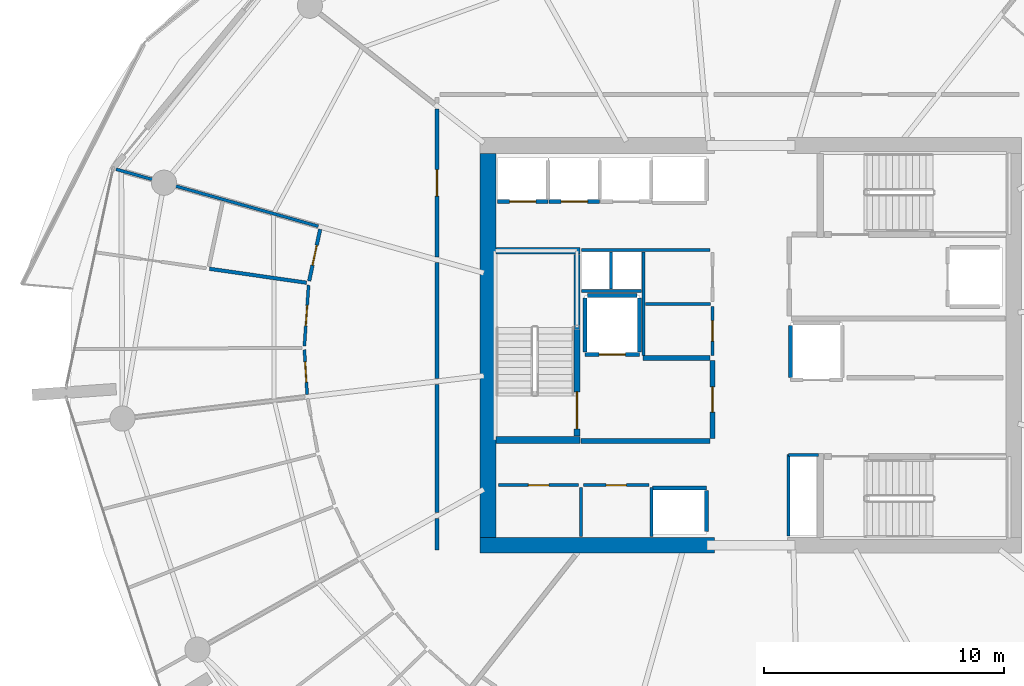
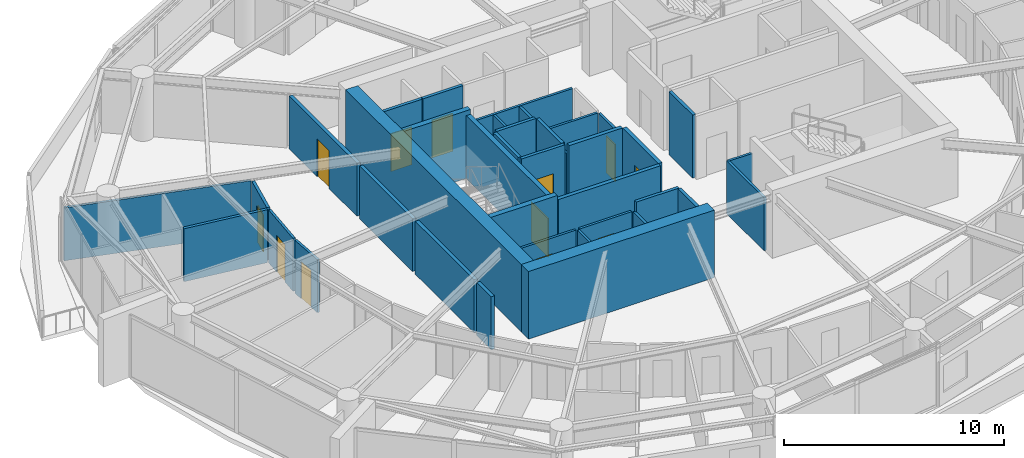
# One storey, part 12 of 21: 38 walls, 12 doors, 12 openings.
"""IFC4 building model written with IfcOpenShell, lengths in metres."""

from ifc_helpers import new_model, si_unit, direction, frame, frame_2d, origin, place, context, subcontext, project, spatial, rectangle, extrude, material, layer, layer_set, type_object, element, fill, save


model = new_model("IFC4")

# Units and contexts
model_context = context("Model", 3, precision=1e-05, world=origin(), true_north=direction((0.0, 1.0)))
body_context = subcontext(model_context, "Body", "Model", "MODEL_VIEW")
ifc_project = project(units=[si_unit("LENGTHUNIT", "METRE"), si_unit("AREAUNIT", "SQUARE_METRE"), si_unit("VOLUMEUNIT", "CUBIC_METRE"), si_unit("PLANEANGLEUNIT", "RADIAN"), si_unit("MASSUNIT", "GRAM", prefix="KILO")], contexts=[model_context])

# Site, building, storey
site_placement = place(None, origin())
site = spatial("IfcSite", under=ifc_project, at=site_placement, CompositionType="ELEMENT")
building_placement = place(site_placement, origin())
building = spatial("IfcBuilding", under=site, at=building_placement, Name="Kazma Halo Residences", CompositionType="ELEMENT")
storey_placement = place(building_placement, frame((0.0, 0.0, 187.800048828125)))
storey = spatial("IfcBuildingStorey", under=building, at=storey_placement, Name="L47", CompositionType="ELEMENT", Elevation=187.800048828125)

# Walls
ifc_material_1 = material(Name="Concrete C60/75", Category="concrete")
ifc_layer_1 = layer(ifc_material_1, 0.64990234375)
ifc_layer_set_1 = layer_set([ifc_layer_1], Name="Concrete C60/75")
wall_type_1 = type_object("IfcWallType", Name="WL-CORE-650", PredefinedType="SHEAR", material=ifc_layer_set_1)
wall_1_placement = place(storey_placement, frame((37.14990234375, 33.675048828125, 0.0), z_axis=(0.0, 0.0, 1.0), x_axis=(1.0, 0.0, 0.0)))
element("IfcWall", 1, at=wall_1_placement, inside=storey, type_object=wall_type_1, Name="L47 central core shear wall SW", PredefinedType="SHEAR", context=body_context, shape_type="SweptSolid", body=[
    extrude(rectangle(XDim=9.75, YDim=0.64990234375, at=frame_2d((4.875, 0.0))), origin(), (0.0, 0.0, 1.0), 3.75),
])
wall_2_placement = place(storey_placement, frame((37.47509765625, 34.0, 0.0), z_axis=(0.0, 0.0, 1.0), x_axis=(0.0, 1.0, 0.0)))
element("IfcWall", 2, at=wall_2_placement, inside=storey, type_object=wall_type_1, Name="L47 central core shear wall W", PredefinedType="SHEAR", context=body_context, shape_type="SweptSolid", body=[
    extrude(rectangle(XDim=16.0, YDim=0.64990234375, at=frame_2d((8.0, 0.0))), origin(), (0.0, 0.0, 1.0), 3.75),
])
ifc_layer_2 = layer(ifc_material_1, 0.280029296875)
ifc_layer_set_2 = layer_set([ifc_layer_2], Name="Concrete C60/75")
wall_type_2 = type_object("IfcWallType", Name="WL-CORE-ST-280", PredefinedType="SHEAR", material=ifc_layer_set_2)
for number, where, z_axis, x_axis, name in (
    (3, (37.800048828125, 38.06005859375, 0.0), (0.0, 0.0, 1.0), (1.0, 0.0, 0.0), "L47 stairwell bearing wall ST01-S"),
    (4, (37.800048828125, 45.93994140625, 0.0), (0.0, 0.0, 1.0), (1.0, 0.0, 0.0), "L47 stairwell bearing wall ST01-N"),
):
    element("IfcWall", number, at=place(storey_placement, frame(where, z_axis=z_axis, x_axis=x_axis)), inside=storey, type_object=wall_type_2, Name=name, PredefinedType="SHEAR", context=body_context, shape_type="SweptSolid", body=[
        extrude(rectangle(XDim=3.5, YDim=0.280029296875, at=frame_2d((1.75, 0.0))), origin(), (0.0, 0.0, 1.0), 3.75),
    ])

# Wall, opening, door
ifc_material_2 = material(Name="Acoustic Twin-Stud Gypsum")
ifc_layer_3 = layer(ifc_material_2, 0.179931640625)
ifc_layer_set_3 = layer_set([ifc_layer_3], Name="Acoustic Twin-Stud Gypsum")
wall_type_3 = type_object("IfcWallType", Name="WL-DEM-180", PredefinedType="PARTITIONING", material=ifc_layer_set_3)
wall_3_placement = place(storey_placement, frame((35.35009765625, 51.8525390625, 0.0), z_axis=(0.0, 0.0, 1.0), x_axis=(0.0, -1.0, 0.0)))
wall_3 = element("IfcWall", 5, at=wall_3_placement, inside=storey, type_object=wall_type_3, Name="L47 Apartment 2 entrance corridor wall", PredefinedType="PARTITIONING", context=body_context, shape_type="SweptSolid", body=[
    extrude(rectangle(XDim=6.164794921875, YDim=0.179931640625, at=frame_2d((3.08251953125, 0.0))), origin(), (0.0, 0.0, 1.0), 2.93994140625),
])
opening_1_placement = place(wall_3_placement, frame((2.532470703125, 0.0, 0.0)))
opening_1 = element("IfcOpeningElement", 6, at=opening_1_placement, cuts=wall_3, Name="Opening DA-1100", PredefinedType="OPENING", context=body_context, shape_type="SweptSolid", body=[
    extrude(rectangle(XDim=1.10009765625, YDim=2.10009765625, at=frame_2d((0.550048828125, 1.050048828125))), frame((0.0, 0.099853515625, 0.0), z_axis=(0.0, -1.0, 0.0), x_axis=(1.0, 0.0, 0.0)), (0.0, 0.0, 1.0), 0.199951171875),
])
ifc_material_3 = material(Name="Acoustic Walnut Fire Leaf")
door_type_1 = type_object("IfcDoorType", Name="DR-FD60-1100", OperationType="NOTDEFINED", PredefinedType="DOOR", material=ifc_material_3)
door_1_placement = place(opening_1_placement, origin())
door_1 = element("IfcDoor", 7, at=door_1_placement, inside=storey, type_object=door_type_1, Name="L47 Apartment 2 entrance fire door", OperationType="SINGLE_SWING_RIGHT", OverallHeight=2.10009765625, OverallWidth=1.10009765625, PredefinedType="DOOR", context=body_context, shape_type="SweptSolid", body=[
    extrude(rectangle(XDim=1.10009765625, YDim=2.10009765625, at=frame_2d((0.550048828125, 1.050048828125))), frame((0.0, 0.02490234375, 0.0), z_axis=(0.0, -1.0, 0.0), x_axis=(1.0, 0.0, 0.0)), (0.0, 0.0, 1.0), 0.050048828125),
])
fill(opening_1, door_1)

# Walls
wall_4_placement = place(storey_placement, frame((35.35009765625, 45.44775390625, 0.0), z_axis=(0.0, 0.0, 1.0), x_axis=(0.0, -1.0, 0.0)))
element("IfcWall", 8, at=wall_4_placement, inside=storey, type_object=wall_type_3, Name="L47 Apartment 2 inner wall 6", PredefinedType="PARTITIONING", context=body_context, shape_type="SweptSolid", body=[
    extrude(rectangle(XDim=4.824951171875, YDim=0.179931640625, at=frame_2d((2.41259765625, 0.0))), origin(), (0.0, 0.0, 1.0), 2.93994140625),
])
wall_5_placement = place(storey_placement, frame((35.35009765625, 40.3828125, 0.0), z_axis=(0.0, 0.0, 1.0), x_axis=(0.0, -1.0, 0.0)))
element("IfcWall", 9, at=wall_5_placement, inside=storey, type_object=wall_type_3, Name="L47 Apartment 2 inner wall 7", PredefinedType="PARTITIONING", context=body_context, shape_type="SweptSolid", body=[
    extrude(rectangle(XDim=5.34716796875, YDim=0.179931640625, at=frame_2d((2.673583984375, 0.0))), origin(), (0.0, 0.0, 1.0), 2.93994140625),
])
wall_6_placement = place(storey_placement, frame((35.35009765625, 34.795654296875, 0.0), z_axis=(0.0, 0.0, 1.0), x_axis=(0.0, -1.0, 0.0)))
element("IfcWall", 10, at=wall_6_placement, inside=storey, type_object=wall_type_3, Name="L47 Apartment 2 inner wall 8", PredefinedType="PARTITIONING", context=body_context, shape_type="SweptSolid", body=[
    extrude(rectangle(XDim=1.32568359375, YDim=0.179931640625, at=frame_2d((0.662841796875, 0.0))), origin(), (0.0, 0.0, 1.0), 2.93994140625),
])

# Wall, opening, door
ifc_material_4 = material(Name="Fire-Rated Blockwork Masonry", Category="masonry")
ifc_layer_4 = layer(ifc_material_4, 0.199951171875)
ifc_layer_set_4 = layer_set([ifc_layer_4], Name="Fire-Rated Blockwork Masonry")
wall_type_4 = type_object("IfcWallType", Name="WL-FLB-200", PredefinedType="PARTITIONING", material=ifc_layer_set_4)
wall_7_placement = place(storey_placement, frame((39.97509765625, 47.9951171875, 0.0), z_axis=(0.0, 0.0, 1.0), x_axis=(-1.0, 0.0, 0.0)))
wall_7 = element("IfcWall", 11, at=wall_7_placement, inside=storey, type_object=wall_type_4, Name="L47 lift shaft PM-01 front wall", PredefinedType="PARTITIONING", context=body_context, shape_type="SweptSolid", body=[
    extrude(rectangle(XDim=2.110107421875, YDim=0.159912109375, at=frame_2d((1.05517578125, 0.0))), origin(), (0.0, 0.0, 1.0), 3.5),
])
opening_2_placement = place(wall_7_placement, frame((0.5048828125, 0.0, 0.0)))
opening_2 = element("IfcOpeningElement", 12, at=opening_2_placement, cuts=wall_7, Name="Opening LD-PM-01", PredefinedType="OPENING", context=body_context, shape_type="SweptSolid", body=[
    extrude(rectangle(XDim=1.10009765625, YDim=2.10009765625, at=frame_2d((0.550048828125, 1.050048828125))), frame((0.0, 0.08984375, 0.0), z_axis=(0.0, -1.0, 0.0), x_axis=(1.0, 0.0, 0.0)), (0.0, 0.0, 1.0), 0.179931640625),
])
ifc_material_5 = material(Name="Stainless Steel Fire-Rated", Category="steel")
door_type_2 = type_object("IfcDoorType", Name="DR-LIFT-SLD-1100", OperationType="DOUBLE_DOOR_SLIDING", PredefinedType="DOOR", material=ifc_material_5)
door_2_placement = place(opening_2_placement, origin())
door_2 = element("IfcDoor", 13, at=door_2_placement, inside=storey, type_object=door_type_2, Name="L47 lift PM-01 sliding landing door", OperationType="DOUBLE_DOOR_SLIDING", OverallHeight=2.10009765625, OverallWidth=1.10009765625, PredefinedType="DOOR", context=body_context, shape_type="SweptSolid", body=[
    extrude(rectangle(XDim=1.10009765625, YDim=2.10009765625, at=frame_2d((0.550048828125, 1.050048828125))), frame((0.0, 0.02490234375, 0.0), z_axis=(0.0, -1.0, 0.0), x_axis=(1.0, 0.0, 0.0)), (0.0, 0.0, 1.0), 0.050048828125),
])
fill(opening_2, door_2)

wall_8_placement = place(storey_placement, frame((42.125, 47.9951171875, 0.0), z_axis=(0.0, 0.0, 1.0), x_axis=(-1.0, 0.0, 0.0)))
wall_8 = element("IfcWall", 14, at=wall_8_placement, inside=storey, type_object=wall_type_4, Name="L47 lift shaft PM-02 front wall", PredefinedType="PARTITIONING", context=body_context, shape_type="SweptSolid", body=[
    extrude(rectangle(XDim=2.110107421875, YDim=0.159912109375, at=frame_2d((1.05517578125, 0.0))), origin(), (0.0, 0.0, 1.0), 3.5),
])
opening_3_placement = place(wall_8_placement, frame((0.5048828125, 0.0, 0.0)))
opening_3 = element("IfcOpeningElement", 15, at=opening_3_placement, cuts=wall_8, Name="Opening LD-PM-02", PredefinedType="OPENING", context=body_context, shape_type="SweptSolid", body=[
    extrude(rectangle(XDim=1.10009765625, YDim=2.10009765625, at=frame_2d((0.550048828125, 1.050048828125))), frame((0.0, 0.08984375, 0.0), z_axis=(0.0, -1.0, 0.0), x_axis=(1.0, 0.0, 0.0)), (0.0, 0.0, 1.0), 0.179931640625),
])
door_3_placement = place(opening_3_placement, origin())
door_3 = element("IfcDoor", 16, at=door_3_placement, inside=storey, type_object=door_type_2, Name="L47 lift PM-02 sliding landing door", OperationType="DOUBLE_DOOR_SLIDING", OverallHeight=2.10009765625, OverallWidth=1.10009765625, PredefinedType="DOOR", context=body_context, shape_type="SweptSolid", body=[
    extrude(rectangle(XDim=1.10009765625, YDim=2.10009765625, at=frame_2d((0.550048828125, 1.050048828125))), frame((0.0, 0.02490234375, 0.0), z_axis=(0.0, -1.0, 0.0), x_axis=(1.0, 0.0, 0.0)), (0.0, 0.0, 1.0), 0.050048828125),
])
fill(opening_3, door_3)

# Walls
wall_9_placement = place(storey_placement, frame((44.320068359375, 36.054931640625, 0.0), z_axis=(0.0, 0.0, 1.0), x_axis=(1.0, 0.0, 0.0)))
element("IfcWall", 17, at=wall_9_placement, inside=storey, type_object=wall_type_4, Name="L47 lift shaft PX-02 front wall", PredefinedType="PARTITIONING", context=body_context, shape_type="SweptSolid", body=[
    extrude(rectangle(XDim=2.260009765625, YDim=0.159912109375, at=frame_2d((1.1298828125, 0.0))), origin(), (0.0, 0.0, 1.0), 3.5),
])
wall_10_placement = place(storey_placement, frame((46.580078125, 34.2451171875, 0.0), z_axis=(0.0, 0.0, 1.0), x_axis=(0.0, 1.0, 0.0)))
element("IfcWall", 18, at=wall_10_placement, inside=storey, type_object=wall_type_4, Name="L47 lift shaft PX-02 side wall E", PredefinedType="PARTITIONING", context=body_context, shape_type="SweptSolid", body=[
    extrude(rectangle(XDim=1.7099609375, YDim=0.159912109375, at=frame_2d((0.85498046875, 0.0))), origin(), (0.0, 0.0, 1.0), 3.5),
])

# Wall, opening, door
wall_11_placement = place(storey_placement, frame((43.780029296875, 41.6201171875, 0.0), z_axis=(0.0, 0.0, 1.0), x_axis=(-1.0, 0.0, 0.0)))
wall_11 = element("IfcWall", 19, at=wall_11_placement, inside=storey, type_object=wall_type_4, Name="L47 lift shaft FL-01 front wall", PredefinedType="PARTITIONING", context=body_context, shape_type="SweptSolid", body=[
    extrude(rectangle(XDim=2.260009765625, YDim=0.159912109375, at=frame_2d((1.1298828125, 0.0))), origin(), (0.0, 0.0, 1.0), 3.5),
])
opening_4_placement = place(wall_11_placement, frame((0.580078125, 0.0, 0.0)))
opening_4 = element("IfcOpeningElement", 20, at=opening_4_placement, cuts=wall_11, Name="Opening LD-FL-01", PredefinedType="OPENING", context=body_context, shape_type="SweptSolid", body=[
    extrude(rectangle(XDim=1.10009765625, YDim=2.10009765625, at=frame_2d((0.550048828125, 1.050048828125))), frame((0.0, 0.08984375, 0.0), z_axis=(0.0, -1.0, 0.0), x_axis=(1.0, 0.0, 0.0)), (0.0, 0.0, 1.0), 0.179931640625),
])
door_4_placement = place(opening_4_placement, origin())
door_4 = element("IfcDoor", 21, at=door_4_placement, inside=storey, type_object=door_type_2, Name="L47 lift FL-01 sliding landing door", OperationType="DOUBLE_DOOR_SLIDING", OverallHeight=2.10009765625, OverallWidth=1.10009765625, PredefinedType="DOOR", context=body_context, shape_type="SweptSolid", body=[
    extrude(rectangle(XDim=1.10009765625, YDim=2.10009765625, at=frame_2d((0.550048828125, 1.050048828125))), frame((0.0, 0.02490234375, 0.0), z_axis=(0.0, -1.0, 0.0), x_axis=(1.0, 0.0, 0.0)), (0.0, 0.0, 1.0), 0.050048828125),
])
fill(opening_4, door_4)

# Walls
for number, where, z_axis, x_axis, name in (
    (22, (43.780029296875, 41.719970703125, 0.0), (0.0, 0.0, 1.0), (0.0, 1.0, 0.0), "L47 lift shaft FL-01 side wall E"),
    (23, (41.52001953125, 41.719970703125, 0.0), (0.0, 0.0, 1.0), (0.0, 1.0, 0.0), "L47 lift shaft FL-01 side wall W"),
):
    element("IfcWall", number, at=place(storey_placement, frame(where, z_axis=z_axis, x_axis=x_axis)), inside=storey, type_object=wall_type_4, Name=name, PredefinedType="PARTITIONING", context=body_context, shape_type="SweptSolid", body=[
        extrude(rectangle(XDim=2.260009765625, YDim=0.159912109375, at=frame_2d((1.1298828125, 0.0))), origin(), (0.0, 0.0, 1.0), 3.5),
    ])
wall_12_placement = place(storey_placement, frame((41.6201171875, 44.080078125, 0.0), z_axis=(0.0, 0.0, 1.0), x_axis=(1.0, 0.0, 0.0)))
element("IfcWall", 24, at=wall_12_placement, inside=storey, type_object=wall_type_4, Name="L47 lift shaft FL-01 side wall N", PredefinedType="PARTITIONING", context=body_context, shape_type="SweptSolid", body=[
    extrude(rectangle(XDim=2.059814453125, YDim=0.159912109375, at=frame_2d((1.02978515625, 0.0))), origin(), (0.0, 0.0, 1.0), 3.5),
])
wall_13_placement = place(storey_placement, frame((50.070068359375, 40.669921875, 0.0), z_axis=(0.0, 0.0, 1.0), x_axis=(0.0, 1.0, 0.0)))
element("IfcWall", 25, at=wall_13_placement, inside=storey, type_object=wall_type_4, Name="L47 lift shaft SV-01 side wall W", PredefinedType="PARTITIONING", context=body_context, shape_type="SweptSolid", body=[
    extrude(rectangle(XDim=2.16015625, YDim=0.159912109375, at=frame_2d((1.080078125, 0.0))), origin(), (0.0, 0.0, 1.0), 3.5),
])
wall_14_placement = place(storey_placement, frame((41.35009765625, 38.02001953125, 0.0), z_axis=(0.0, 0.0, 1.0), x_axis=(1.0, 0.0, 0.0)))
element("IfcWall", 26, at=wall_14_placement, inside=storey, type_object=wall_type_4, Name="L47 west firefighting lobby south smoke wall", PredefinedType="PARTITIONING", context=body_context, shape_type="SweptSolid", body=[
    extrude(rectangle(XDim=5.369873046875, YDim=0.199951171875, at=frame_2d((2.68505859375, 0.0))), origin(), (0.0, 0.0, 1.0), 3.5),
])
wall_15_placement = place(storey_placement, frame((43.919921875, 41.47998046875, 0.0), z_axis=(0.0, 0.0, 1.0), x_axis=(1.0, 0.0, 0.0)))
element("IfcWall", 27, at=wall_15_placement, inside=storey, type_object=wall_type_4, Name="L47 west firefighting lobby north smoke wall", PredefinedType="PARTITIONING", context=body_context, shape_type="SweptSolid", body=[
    extrude(rectangle(XDim=2.800048828125, YDim=0.199951171875, at=frame_2d((1.39990234375, 0.0))), origin(), (0.0, 0.0, 1.0), 3.5),
])

# Wall, opening, door
wall_16_placement = place(storey_placement, frame((46.820068359375, 38.1201171875, 0.0), z_axis=(0.0, 0.0, 1.0), x_axis=(0.0, 1.0, 0.0)))
wall_16 = element("IfcWall", 28, at=wall_16_placement, inside=storey, type_object=wall_type_4, Name="L47 west firefighting lobby smoke wall", PredefinedType="PARTITIONING", context=body_context, shape_type="SweptSolid", body=[
    extrude(rectangle(XDim=3.259765625, YDim=0.199951171875, at=frame_2d((1.6298828125, 0.0))), origin(), (0.0, 0.0, 1.0), 3.5),
])
opening_5_placement = place(wall_16_placement, frame((1.10498046875, 0.0, 0.0)))
opening_5 = element("IfcOpeningElement", 29, at=opening_5_placement, cuts=wall_16, Name="Opening D-FLW", PredefinedType="OPENING", context=body_context, shape_type="SweptSolid", body=[
    extrude(rectangle(XDim=1.050048828125, YDim=2.10009765625, at=frame_2d((0.52490234375, 1.050048828125))), frame((0.0, 0.10986328125, 0.0), z_axis=(0.0, -1.0, 0.0), x_axis=(1.0, 0.0, 0.0)), (0.0, 0.0, 1.0), 0.219970703125),
])
ifc_material_6 = material(Name="Fire-Rated Steel Leaf", Category="steel")
door_type_3 = type_object("IfcDoorType", Name="DR-FD90-1050", OperationType="NOTDEFINED", PredefinedType="DOOR", material=ifc_material_6)
door_5_placement = place(opening_5_placement, origin())
door_5 = element("IfcDoor", 30, at=door_5_placement, inside=storey, type_object=door_type_3, Name="L47 west firefighting lobby smoke door", OperationType="SINGLE_SWING_RIGHT", OverallHeight=2.10009765625, OverallWidth=1.050048828125, PredefinedType="DOOR", context=body_context, shape_type="SweptSolid", body=[
    extrude(rectangle(XDim=1.050048828125, YDim=2.10009765625, at=frame_2d((0.52490234375, 1.050048828125))), frame((0.0, 0.02490234375, 0.0), z_axis=(0.0, -1.0, 0.0), x_axis=(1.0, 0.0, 0.0)), (0.0, 0.0, 1.0), 0.050048828125),
])
fill(opening_5, door_5)

# Walls
ifc_material_7 = material(Name="Gypsum Plasterboard Partition")
ifc_layer_5 = layer(ifc_material_7, 0.125)
ifc_layer_set_5 = layer_set([ifc_layer_5], Name="Gypsum Plasterboard Partition")
wall_type_5 = type_object("IfcWallType", Name="WL-PART-125", PredefinedType="PARTITIONING", material=ifc_layer_set_5)
for number, where, z_axis, x_axis, name in (
    (31, (44.280029296875, 34.050048828125, 0.0), (0.0, 0.0, 1.0), (0.0, 1.0, 0.0), "L47 reclaimed south east wall"),
    (32, (41.35009765625, 34.050048828125, 0.0), (0.0, 0.0, 1.0), (0.0, 1.0, 0.0), "L47 reclaimed south divider wall"),
):
    element("IfcWall", number, at=place(storey_placement, frame(where, z_axis=z_axis, x_axis=x_axis)), inside=storey, type_object=wall_type_5, Name=name, PredefinedType="PARTITIONING", context=body_context, shape_type="SweptSolid", body=[
        extrude(rectangle(XDim=2.030029296875, YDim=0.125, at=frame_2d((1.01513671875, 0.0))), origin(), (0.0, 0.0, 1.0), 2.93994140625),
    ])

# Wall, opening, door
wall_17_placement = place(storey_placement, frame((37.919921875, 36.179931640625, 0.0), z_axis=(0.0, 0.0, 1.0), x_axis=(1.0, 0.0, 0.0)))
wall_17 = element("IfcWall", 33, at=wall_17_placement, inside=storey, type_object=wall_type_5, Name="L47 reclaimed south W front wall", PredefinedType="PARTITIONING", context=body_context, shape_type="SweptSolid", body=[
    extrude(rectangle(XDim=3.330078125, YDim=0.125, at=frame_2d((1.6650390625, 0.0))), origin(), (0.0, 0.0, 1.0), 2.93994140625),
])
opening_6_placement = place(wall_17_placement, frame((1.239990234375, 0.0, 0.0)))
opening_6 = element("IfcOpeningElement", 34, at=opening_6_placement, cuts=wall_17, Name="Opening DS-850", PredefinedType="OPENING", context=body_context, shape_type="SweptSolid", body=[
    extrude(rectangle(XDim=0.85009765625, YDim=2.06005859375, at=frame_2d((0.425048828125, 1.030029296875))), frame((0.0, 0.072509765625, 0.0), z_axis=(0.0, -1.0, 0.0), x_axis=(1.0, 0.0, 0.0)), (0.0, 0.0, 1.0), 0.14501953125),
])
ifc_material_8 = material(Name="Painted Steel Access Leaf", Category="steel")
door_type_4 = type_object("IfcDoorType", Name="DR-SVC-850", OperationType="NOTDEFINED", PredefinedType="DOOR", material=ifc_material_8)
door_6_placement = place(opening_6_placement, origin())
door_6 = element("IfcDoor", 35, at=door_6_placement, inside=storey, type_object=door_type_4, Name="L47 reclaimed south W door", OperationType="SINGLE_SWING_RIGHT", OverallHeight=2.06005859375, OverallWidth=0.85009765625, PredefinedType="DOOR", context=body_context, shape_type="SweptSolid", body=[
    extrude(rectangle(XDim=0.85009765625, YDim=2.06005859375, at=frame_2d((0.425048828125, 1.030029296875))), frame((0.0, 0.02490234375, 0.0), z_axis=(0.0, -1.0, 0.0), x_axis=(1.0, 0.0, 0.0)), (0.0, 0.0, 1.0), 0.050048828125),
])
fill(opening_6, door_6)

wall_18_placement = place(storey_placement, frame((41.449951171875, 36.179931640625, 0.0), z_axis=(0.0, 0.0, 1.0), x_axis=(1.0, 0.0, 0.0)))
wall_18 = element("IfcWall", 36, at=wall_18_placement, inside=storey, type_object=wall_type_5, Name="L47 reclaimed south E front wall", PredefinedType="PARTITIONING", context=body_context, shape_type="SweptSolid", body=[
    extrude(rectangle(XDim=2.72998046875, YDim=0.125, at=frame_2d((1.364990234375, 0.0))), origin(), (0.0, 0.0, 1.0), 2.93994140625),
])
opening_7_placement = place(wall_18_placement, frame((0.93994140625, 0.0, 0.0)))
opening_7 = element("IfcOpeningElement", 37, at=opening_7_placement, cuts=wall_18, Name="Opening DS-850", PredefinedType="OPENING", context=body_context, shape_type="SweptSolid", body=[
    extrude(rectangle(XDim=0.85009765625, YDim=2.06005859375, at=frame_2d((0.425048828125, 1.030029296875))), frame((0.0, 0.072509765625, 0.0), z_axis=(0.0, -1.0, 0.0), x_axis=(1.0, 0.0, 0.0)), (0.0, 0.0, 1.0), 0.14501953125),
])
door_7_placement = place(opening_7_placement, origin())
door_7 = element("IfcDoor", 38, at=door_7_placement, inside=storey, type_object=door_type_4, Name="L47 reclaimed south E door", OperationType="SINGLE_SWING_LEFT", OverallHeight=2.06005859375, OverallWidth=0.85009765625, PredefinedType="DOOR", context=body_context, shape_type="SweptSolid", body=[
    extrude(rectangle(XDim=0.85009765625, YDim=2.06005859375, at=frame_2d((0.425048828125, 1.030029296875))), frame((0.0, 0.02490234375, 0.0), z_axis=(0.0, -1.0, 0.0), x_axis=(1.0, 0.0, 0.0)), (0.0, 0.0, 1.0), 0.050048828125),
])
fill(opening_7, door_7)

# Walls
wall_19_placement = place(storey_placement, frame((41.360107421875, 45.97998046875, 0.0), z_axis=(0.0, 0.0, 1.0), x_axis=(1.0, 0.0, 0.0)))
element("IfcWall", 39, at=wall_19_placement, inside=storey, type_object=wall_type_5, Name="L47 core north riser wall", PredefinedType="PARTITIONING", context=body_context, shape_type="SweptSolid", body=[
    extrude(rectangle(XDim=5.35986328125, YDim=0.125, at=frame_2d((2.679931640625, 0.0))), origin(), (0.0, 0.0, 1.0), 2.93994140625),
])
wall_20_placement = place(storey_placement, frame((41.360107421875, 44.260009765625, 0.0), z_axis=(0.0, 0.0, 1.0), x_axis=(1.0, 0.0, 0.0)))
element("IfcWall", 40, at=wall_20_placement, inside=storey, type_object=wall_type_5, Name="L47 core riser south wall", PredefinedType="PARTITIONING", context=body_context, shape_type="SweptSolid", body=[
    extrude(rectangle(XDim=2.5, YDim=0.125, at=frame_2d((1.25, 0.0))), origin(), (0.0, 0.0, 1.0), 2.93994140625),
])
wall_21_placement = place(storey_placement, frame((42.60009765625, 44.35009765625, 0.0), z_axis=(0.0, 0.0, 1.0), x_axis=(0.0, 1.0, 0.0)))
element("IfcWall", 41, at=wall_21_placement, inside=storey, type_object=wall_type_5, Name="L47 core riser divider wall", PredefinedType="PARTITIONING", context=body_context, shape_type="SweptSolid", body=[
    extrude(rectangle(XDim=1.5498046875, YDim=0.125, at=frame_2d((0.77490234375, 0.0))), origin(), (0.0, 0.0, 1.0), 2.93994140625),
])
wall_22_placement = place(storey_placement, frame((49.97998046875, 34.06005859375, 0.0), z_axis=(0.0, 0.0, 1.0), x_axis=(0.0, 1.0, 0.0)))
element("IfcWall", 42, at=wall_22_placement, inside=storey, type_object=wall_type_5, Name="L47 standpipe riser wall", PredefinedType="PARTITIONING", context=body_context, shape_type="SweptSolid", body=[
    extrude(rectangle(XDim=3.39990234375, YDim=0.125, at=frame_2d((1.699951171875, 0.0))), origin(), (0.0, 0.0, 1.0), 2.93994140625),
])
wall_23_placement = place(storey_placement, frame((49.97998046875, 37.43994140625, 0.0), z_axis=(0.0, 0.0, 1.0), x_axis=(1.0, 0.0, 0.0)))
element("IfcWall", 43, at=wall_23_placement, inside=storey, type_object=wall_type_5, Name="L47 standpipe riser north wall", PredefinedType="PARTITIONING", context=body_context, shape_type="SweptSolid", body=[
    extrude(rectangle(XDim=1.260009765625, YDim=0.125, at=frame_2d((0.6298828125, 0.0))), origin(), (0.0, 0.0, 1.0), 2.93994140625),
])
wall_24_placement = place(storey_placement, frame((43.949951171875, 41.580078125, 0.0), z_axis=(0.0, 0.0, 1.0), x_axis=(0.0, 1.0, 0.0)))
element("IfcWall", 44, at=wall_24_placement, inside=storey, type_object=wall_type_5, Name="L47 core service west wall", PredefinedType="PARTITIONING", context=body_context, shape_type="SweptSolid", body=[
    extrude(rectangle(XDim=4.31982421875, YDim=0.125, at=frame_2d((2.159912109375, 0.0))), origin(), (0.0, 0.0, 1.0), 2.93994140625),
])
wall_25_placement = place(storey_placement, frame((44.030029296875, 43.72998046875, 0.0), z_axis=(0.0, 0.0, 1.0), x_axis=(1.0, 0.0, 0.0)))
element("IfcWall", 45, at=wall_25_placement, inside=storey, type_object=wall_type_5, Name="L47 switch/IDF divider", PredefinedType="PARTITIONING", context=body_context, shape_type="SweptSolid", body=[
    extrude(rectangle(XDim=2.7099609375, YDim=0.125, at=frame_2d((1.35498046875, 0.0))), origin(), (0.0, 0.0, 1.0), 2.93994140625),
])

# Wall, opening, door
wall_26_placement = place(storey_placement, frame((46.820068359375, 41.580078125, 0.0), z_axis=(0.0, 0.0, 1.0), x_axis=(0.0, 1.0, 0.0)))
wall_26 = element("IfcWall", 46, at=wall_26_placement, inside=storey, type_object=wall_type_5, Name="L47 electrical switch room east wall", PredefinedType="PARTITIONING", context=body_context, shape_type="SweptSolid", body=[
    extrude(rectangle(XDim=2.0498046875, YDim=0.125, at=frame_2d((1.02490234375, 0.0))), origin(), (0.0, 0.0, 1.0), 2.93994140625),
])
opening_8_placement = place(wall_26_placement, frame((0.60009765625, 0.0, 0.0)))
opening_8 = element("IfcOpeningElement", 47, at=opening_8_placement, cuts=wall_26, Name="Opening DS-850", PredefinedType="OPENING", context=body_context, shape_type="SweptSolid", body=[
    extrude(rectangle(XDim=0.85009765625, YDim=2.06005859375, at=frame_2d((0.425048828125, 1.030029296875))), frame((0.0, 0.072509765625, 0.0), z_axis=(0.0, -1.0, 0.0), x_axis=(1.0, 0.0, 0.0)), (0.0, 0.0, 1.0), 0.14501953125),
])
door_8_placement = place(opening_8_placement, origin())
door_8 = element("IfcDoor", 48, at=door_8_placement, inside=storey, type_object=door_type_4, Name="L47 electrical switch room door", OperationType="SINGLE_SWING_RIGHT", OverallHeight=2.06005859375, OverallWidth=0.85009765625, PredefinedType="DOOR", context=body_context, shape_type="SweptSolid", body=[
    extrude(rectangle(XDim=0.85009765625, YDim=2.06005859375, at=frame_2d((0.425048828125, 1.030029296875))), frame((0.0, 0.02490234375, 0.0), z_axis=(0.0, -1.0, 0.0), x_axis=(1.0, 0.0, 0.0)), (0.0, 0.0, 1.0), 0.050048828125),
])
fill(opening_8, door_8)

# Wall
wall_27_placement = place(storey_placement, frame((30.408203125, 46.961181640625, 0.0), z_axis=(0.0, 0.0, 1.0), x_axis=(-0.962446872886, 0.27147010309, 0.0)))
element("IfcWall", 49, at=wall_27_placement, inside=storey, type_object=wall_type_5, Name="L47 Apartment 2 radial partition 6", PredefinedType="PARTITIONING", context=body_context, shape_type="SweptSolid", body=[
    extrude(rectangle(XDim=8.752197265625, YDim=0.125, at=frame_2d((4.3759765625, 0.0))), origin(), (0.0, 0.0, 1.0), 2.93994140625),
])

# Wall, opening, door
wall_28_placement = place(storey_placement, frame((30.002197265625, 44.5068359375, 0.0), z_axis=(0.0, 0.0, 1.0), x_axis=(-0.06880870641, -0.997629872208, 0.0)))
wall_28 = element("IfcWall", 50, at=wall_28_placement, inside=storey, type_object=wall_type_5, Name="L47 Apartment 2 Gourmet Kitchen hall wall", PredefinedType="PARTITIONING", context=body_context, shape_type="SweptSolid", body=[
    extrude(rectangle(XDim=2.533447265625, YDim=0.125, at=frame_2d((1.2666015625, 0.0))), origin(), (0.0, 0.0, 1.0), 2.93994140625),
])
opening_9_placement = place(wall_28_placement, frame((0.841796875, 0.0, 0.0)))
opening_9 = element("IfcOpeningElement", 51, at=opening_9_placement, cuts=wall_28, Name="Opening DB-900", PredefinedType="OPENING", context=body_context, shape_type="SweptSolid", body=[
    extrude(rectangle(XDim=0.85009765625, YDim=2.06005859375, at=frame_2d((0.425048828125, 1.030029296875))), frame((0.0, 0.072509765625, 0.0), z_axis=(0.0, -1.0, 0.0), x_axis=(1.0, 0.0, 0.0)), (0.0, 0.0, 1.0), 0.14501953125),
])
ifc_material_9 = material(Name="Moisture-Sealed Timber Leaf", Category="wood")
door_type_5 = type_object("IfcDoorType", Name="DR-BTH-900", OperationType="NOTDEFINED", PredefinedType="DOOR", material=ifc_material_9)
door_9_placement = place(opening_9_placement, origin())
door_9 = element("IfcDoor", 52, at=door_9_placement, inside=storey, type_object=door_type_5, Name="L47 Apartment 2 Gourmet Kitchen door", OperationType="SINGLE_SWING_RIGHT", OverallHeight=2.06005859375, OverallWidth=0.85009765625, PredefinedType="DOOR", context=body_context, shape_type="SweptSolid", body=[
    extrude(rectangle(XDim=0.85009765625, YDim=2.06005859375, at=frame_2d((0.425048828125, 1.030029296875))), frame((0.0, 0.02490234375, 0.0), z_axis=(0.0, -1.0, 0.0), x_axis=(1.0, 0.0, 0.0)), (0.0, 0.0, 1.0), 0.050048828125),
])
fill(opening_9, door_9)

wall_29_placement = place(storey_placement, frame((29.8271484375, 41.81982421875, 0.0), z_axis=(0.0, 0.0, 1.0), x_axis=(0.061683760626, -0.998095743742, 0.0)))
wall_29 = element("IfcWall", 53, at=wall_29_placement, inside=storey, type_object=wall_type_5, Name="L47 Apartment 2 Primary Bedroom hall wall", PredefinedType="PARTITIONING", context=body_context, shape_type="SweptSolid", body=[
    extrude(rectangle(XDim=1.8603515625, YDim=0.125, at=frame_2d((0.93017578125, 0.0))), origin(), (0.0, 0.0, 1.0), 2.93994140625),
])
opening_10_placement = place(wall_29_placement, frame((0.505126953125, 0.0, 0.0)))
opening_10 = element("IfcOpeningElement", 54, at=opening_10_placement, cuts=wall_29, Name="Opening DB-900", PredefinedType="OPENING", context=body_context, shape_type="SweptSolid", body=[
    extrude(rectangle(XDim=0.85009765625, YDim=2.06005859375, at=frame_2d((0.425048828125, 1.030029296875))), frame((0.0, 0.072509765625, 0.0), z_axis=(0.0, -1.0, 0.0), x_axis=(1.0, 0.0, 0.0)), (0.0, 0.0, 1.0), 0.14501953125),
])
door_10_placement = place(opening_10_placement, origin())
door_10 = element("IfcDoor", 55, at=door_10_placement, inside=storey, type_object=door_type_5, Name="L47 Apartment 2 Primary Bedroom door", OperationType="SINGLE_SWING_LEFT", OverallHeight=2.06005859375, OverallWidth=0.85009765625, PredefinedType="DOOR", context=body_context, shape_type="SweptSolid", body=[
    extrude(rectangle(XDim=0.85009765625, YDim=2.06005859375, at=frame_2d((0.425048828125, 1.030029296875))), frame((0.0, 0.02490234375, 0.0), z_axis=(0.0, -1.0, 0.0), x_axis=(1.0, 0.0, 0.0)), (0.0, 0.0, 1.0), 0.050048828125),
])
fill(opening_10, door_10)

ifc_material_10 = material(Name="Concrete C50/60", Category="concrete")
ifc_layer_6 = layer(ifc_material_10, 0.25)
ifc_layer_set_6 = layer_set([ifc_layer_6], Name="Concrete C50/60")
wall_type_6 = type_object("IfcWallType", Name="WL-SHF-250", PredefinedType="SOLIDWALL", material=ifc_layer_set_6)
wall_30_placement = place(storey_placement, frame((41.179931640625, 38.219970703125, 0.0), z_axis=(0.0, 0.0, 1.0), x_axis=(0.0, 1.0, 0.0)))
wall_30 = element("IfcWall", 56, at=wall_30_placement, inside=storey, type_object=wall_type_6, Name="L47 exit stair ST-01 enclosure wall", PredefinedType="SOLIDWALL", context=body_context, shape_type="SweptSolid", body=[
    extrude(rectangle(XDim=7.56005859375, YDim=0.25, at=frame_2d((3.780029296875, 0.0))), origin(), (0.0, 0.0, 1.0), 3.5),
])
opening_11_placement = place(wall_30_placement, frame((0.300048828125, 0.0, 0.0)))
opening_11 = element("IfcOpeningElement", 57, at=opening_11_placement, cuts=wall_30, Name="Opening D-ST1", PredefinedType="OPENING", context=body_context, shape_type="SweptSolid", body=[
    extrude(rectangle(XDim=1.550048828125, YDim=2.14990234375, at=frame_2d((0.77490234375, 1.074951171875))), frame((0.0, 0.135009765625, 0.0), z_axis=(0.0, -1.0, 0.0), x_axis=(1.0, 0.0, 0.0)), (0.0, 0.0, 1.0), 0.27001953125),
])
ifc_material_11 = material(Name="Fire-Rated Double Steel Leaf", Category="steel")
door_type_6 = type_object("IfcDoorType", Name="DR-FD90-1550", OperationType="NOTDEFINED", PredefinedType="DOOR", material=ifc_material_11)
door_11_placement = place(opening_11_placement, origin())
door_11 = element("IfcDoor", 58, at=door_11_placement, inside=storey, type_object=door_type_6, Name="L47 exit stair ST-01 fire door", OperationType="DOUBLE_DOOR_SINGLE_SWING", OverallHeight=2.14990234375, OverallWidth=1.550048828125, PredefinedType="DOOR", context=body_context, shape_type="SweptSolid", body=[
    extrude(rectangle(XDim=1.550048828125, YDim=2.14990234375, at=frame_2d((0.77490234375, 1.074951171875))), frame((0.0, 0.02490234375, 0.0), z_axis=(0.0, -1.0, 0.0), x_axis=(1.0, 0.0, 0.0)), (0.0, 0.0, 1.0), 0.050048828125),
])
fill(opening_11, door_11)

ifc_material_12 = material(Name="Moisture-Resistant Gypsum")
ifc_layer_7 = layer(ifc_material_12, 0.14990234375)
ifc_layer_set_7 = layer_set([ifc_layer_7], Name="Moisture-Resistant Gypsum")
wall_type_7 = type_object("IfcWallType", Name="WL-WET-150", PredefinedType="PARTITIONING", material=ifc_layer_set_7)
wall_31_placement = place(storey_placement, frame((30.483642578125, 46.83642578125, 0.0), z_axis=(0.0, 0.0, 1.0), x_axis=(-0.207542828796, -0.978225932091, 0.0)))
wall_31 = element("IfcWall", 59, at=wall_31_placement, inside=storey, type_object=wall_type_7, Name="L47 Apartment 2 Guest Bathroom hall wall", PredefinedType="PARTITIONING", context=body_context, shape_type="SweptSolid", body=[
    extrude(rectangle(XDim=2.19970703125, YDim=0.14990234375, at=frame_2d((1.099853515625, 0.0))), origin(), (0.0, 0.0, 1.0), 2.93994140625),
])
opening_12_placement = place(wall_31_placement, frame((0.6748046875, 0.0, 0.0)))
opening_12 = element("IfcOpeningElement", 60, at=opening_12_placement, cuts=wall_31, Name="Opening DB-900", PredefinedType="OPENING", context=body_context, shape_type="SweptSolid", body=[
    extrude(rectangle(XDim=0.85009765625, YDim=2.06005859375, at=frame_2d((0.425048828125, 1.030029296875))), frame((0.0, 0.0849609375, 0.0), z_axis=(0.0, -1.0, 0.0), x_axis=(1.0, 0.0, 0.0)), (0.0, 0.0, 1.0), 0.169921875),
])
door_12_placement = place(opening_12_placement, origin())
door_12 = element("IfcDoor", 61, at=door_12_placement, inside=storey, type_object=door_type_5, Name="L47 Apartment 2 Guest Bathroom door", OperationType="SINGLE_SWING_RIGHT", OverallHeight=2.06005859375, OverallWidth=0.85009765625, PredefinedType="DOOR", context=body_context, shape_type="SweptSolid", body=[
    extrude(rectangle(XDim=0.85009765625, YDim=2.06005859375, at=frame_2d((0.425048828125, 1.030029296875))), frame((0.0, 0.02490234375, 0.0), z_axis=(0.0, -1.0, 0.0), x_axis=(1.0, 0.0, 0.0)), (0.0, 0.0, 1.0), 0.050048828125),
])
fill(opening_12, door_12)

# Wall
wall_32_placement = place(storey_placement, frame((29.919189453125, 44.609619140625, 0.0), z_axis=(0.0, 0.0, 1.0), x_axis=(-0.98975274333, 0.142791831245, 0.0)))
element("IfcWall", 62, at=wall_32_placement, inside=storey, type_object=wall_type_7, Name="L47 Apartment 2 Guest Bathroom side wall", PredefinedType="PARTITIONING", context=body_context, shape_type="SweptSolid", body=[
    extrude(rectangle(XDim=4.08984375, YDim=0.14990234375, at=frame_2d((2.044921875, 0.0))), origin(), (0.0, 0.0, 1.0), 2.93994140625),
])

save(model, "model.ifc")
